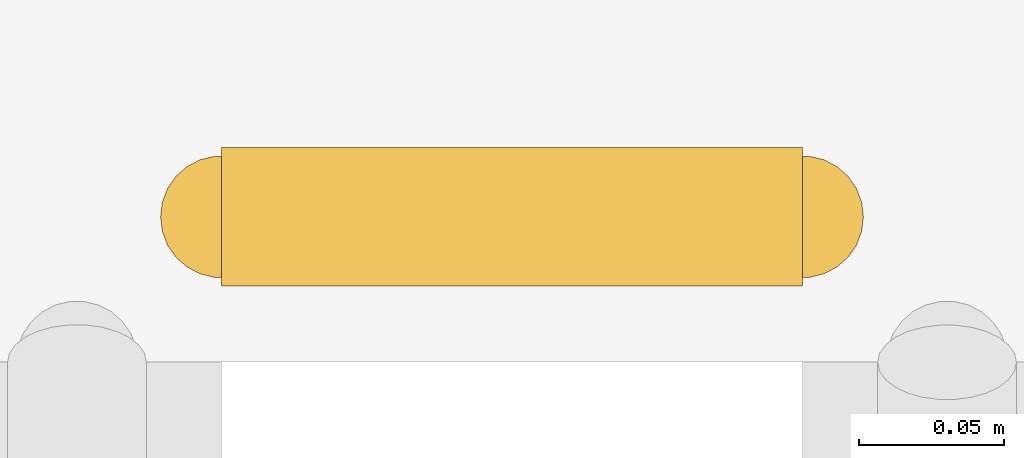
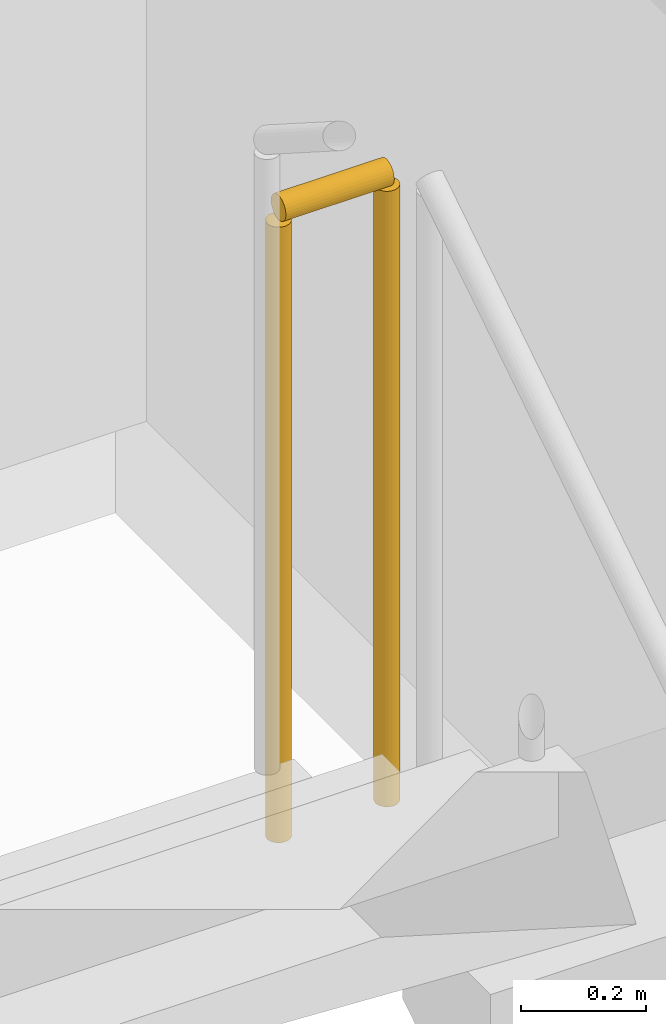
# One storey, part 14 of 14: 1 railing.
"""IFC4 building model written with IfcOpenShell, lengths in metres."""

from ifc_helpers import new_model, si_unit, direction, frame, origin, origin_2d, place, context, subcontext, project, spatial, circle, extrude, material, type_object, element, save


model = new_model("IFC4")

# Units and contexts
model_context = context("Model", 3, precision=1e-05, world=origin(), true_north=direction((0.0, 1.0)))
body_context = subcontext(model_context, "Body", "Model", "MODEL_VIEW")
ifc_project = project(units=[si_unit("LENGTHUNIT", "METRE"), si_unit("AREAUNIT", "SQUARE_METRE"), si_unit("VOLUMEUNIT", "CUBIC_METRE"), si_unit("PLANEANGLEUNIT", "RADIAN"), si_unit("MASSUNIT", "GRAM", prefix="KILO")], contexts=[model_context])

# Site, building, storey
site_placement = place(None, origin())
site = spatial("IfcSite", under=ifc_project, at=site_placement, CompositionType="ELEMENT")
building_placement = place(site_placement, origin())
building = spatial("IfcBuilding", under=site, at=building_placement, Name="Ochreholt Gables", CompositionType="ELEMENT")
storey_placement = place(building_placement, frame((0.0, 0.0, 109.800048828125)))
storey = spatial("IfcBuildingStorey", under=building, at=storey_placement, Name="L28", CompositionType="ELEMENT", Elevation=109.800048828125)

# Railing
ifc_material = material(Name="Painted Steel Stair Guardrail", Category="steel")
railing_type = type_object("IfcRailingType", Name="RL-ST-GUARD", PredefinedType="GUARDRAIL", material=ifc_material)
railing_placement = place(storey_placement, frame((26.60009765625, 35.048095703125, 1.800048828125)))
element("IfcRailing", 1, at=railing_placement, inside=storey, type_object=railing_type, Name="L28 ST-2 stair guard 2", PredefinedType="GUARDRAIL", context=body_context, shape_type="SweptSolid", body=[
    extrude(circle(Radius=0.02392578125, at=origin_2d()), frame((0.0, 0.0, 1.22607421875), z_axis=(-1.0, 0.0, 0.0), x_axis=(0.0, -1.0, 0.0)), (0.0, 0.0, 1.0), 0.2001953125),
    extrude(circle(Radius=0.02099609375, at=origin_2d()), origin(), (0.0, 0.0, 1.0), 1.201904296875),
    extrude(circle(Radius=0.02099609375, at=origin_2d()), frame((-0.2001953125, 0.0, 0.0)), (0.0, 0.0, 1.0), 1.201904296875),
])

save(model, "model.ifc")
